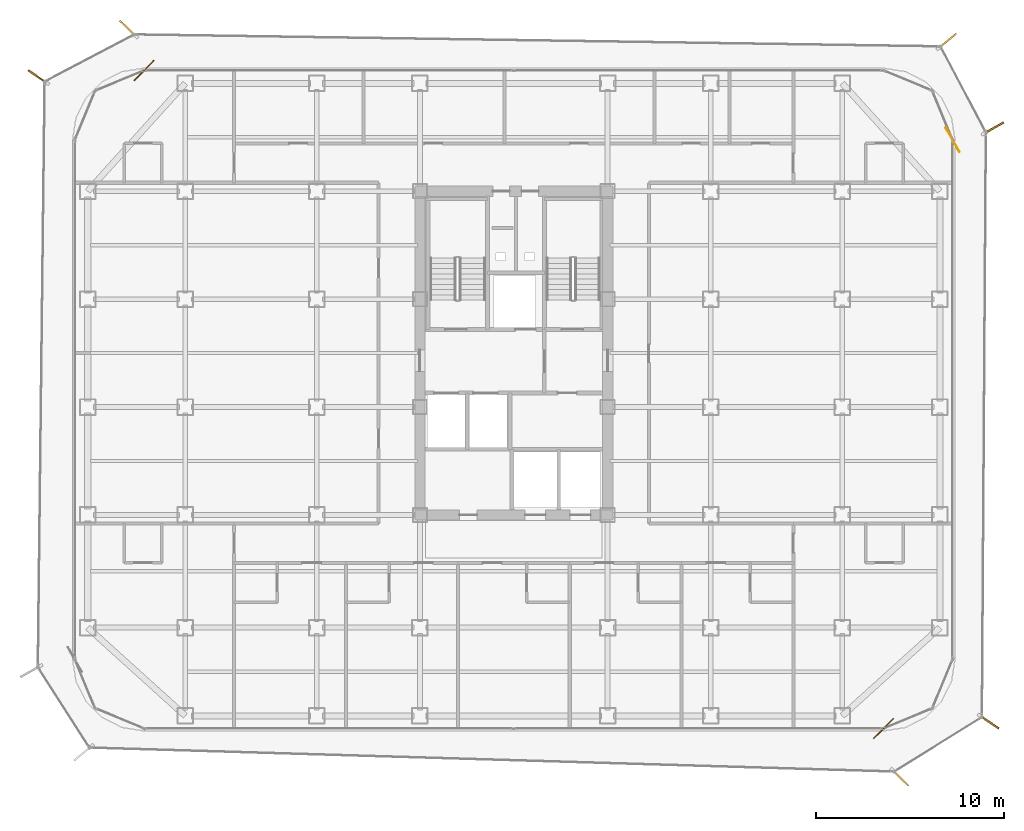
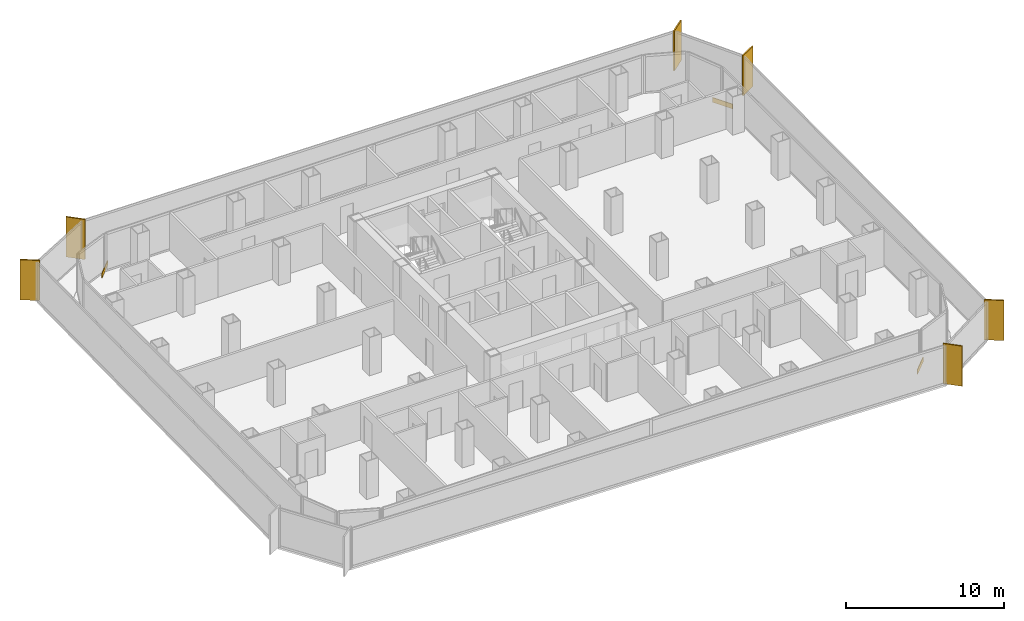
# One storey, part 21 of 21: 6 shading devices, 3 coverings.
"""IFC4 building model written with IfcOpenShell, lengths in metres."""

from ifc_helpers import new_model, si_unit, direction, frame, origin, origin_2d, place, context, subcontext, project, spatial, rectangle, extrude, source, transform, mapped, material, layer, layer_set, type_object, element, save


model = new_model("IFC4")

# Units and contexts
model_context = context("Model", 3, precision=1e-05, world=origin(), true_north=direction((0.0, 1.0)))
body_context = subcontext(model_context, "Body", "Model", "MODEL_VIEW")
ifc_project = project(units=[si_unit("LENGTHUNIT", "METRE"), si_unit("AREAUNIT", "SQUARE_METRE"), si_unit("VOLUMEUNIT", "CUBIC_METRE"), si_unit("PLANEANGLEUNIT", "RADIAN"), si_unit("MASSUNIT", "GRAM", prefix="KILO")], contexts=[model_context])

# Site, building, storey
site_placement = place(None, origin())
site = spatial("IfcSite", under=ifc_project, at=site_placement, CompositionType="ELEMENT")
building_placement = place(site_placement, origin())
building = spatial("IfcBuilding", under=site, at=building_placement, Name="Kolveth Station Tower", CompositionType="ELEMENT")
storey_placement = place(building_placement, frame((0.0, 0.0, 115.10009765625)))
storey = spatial("IfcBuildingStorey", under=building, at=storey_placement, Name="L31", CompositionType="ELEMENT", Elevation=115.10009765625)

# Shading devices
ifc_material_1 = material(Name="Black anodized aluminium 6063-T6", Category="aluminium")
shading_device_type = type_object("IfcShadingDeviceType", Name="FIN_VF1", PredefinedType="USERDEFINED", material=ifc_material_1)
shared_shape_1 = source(origin(), body_context, "Body", "SweptSolid", [
    extrude(rectangle(XDim=1.25, YDim=0.090087890625, at=origin_2d()), origin(), (0.0, 0.0, 1.0), 3.10009765625),
])
for number, where, z_axis, x_axis, name in (
    (1, (44.089111328125, -2.491943359375, -0.000244140625), (0.0, 0.0, 1.0), (0.714838924546, -0.699289147602, 0.0), "L31 Dark-Aluminium Solar Fin 1"),
    (2, (48.822021484375, 0.47900390625, -0.000244140625), (0.0, 0.0, 1.0), (0.827668733006, -0.561216953062, 0.0), "L31 Dark-Aluminium Solar Fin 2"),
    (3, (49.052978515625, 32.110107421875, -0.000244140625), (0.0, 0.0, 1.0), (0.87026973856, 0.492575458328, 0.0), "L31 Dark-Aluminium Solar Fin 3"),
    (4, (46.591064453125, 36.7470703125, -0.000244140625), (0.0, 0.0, 1.0), (0.770624482513, 0.637289500111, 0.0), "L31 Dark-Aluminium Solar Fin 4"),
    (5, (2.9560546875, 37.406982421875, -0.000244140625), (0.0, 0.0, 1.0), (-0.720793110676, 0.69315026625, 0.0), "L31 Dark-Aluminium Solar Fin 5"),
    (6, (-1.861083984375, 34.843017578125, -0.000244140625), (0.0, 0.0, 1.0), (-0.827668733006, 0.561216953062, 0.0), "L31 Dark-Aluminium Solar Fin 6"),
):
    element("IfcShadingDevice", number, at=place(storey_placement, frame(where, z_axis=z_axis, x_axis=x_axis)), inside=storey, type_object=shading_device_type, Name=name, ObjectType="FIN", PredefinedType="USERDEFINED", context=body_context, shape_type="MappedRepresentation", body=[
        mapped(shared_shape_1, transform((0.0, 0.0, 0.0), x_axis=(1.0, 0.0, 0.0), y_axis=(0.0, 1.0, 0.0), z_axis=(0.0, 0.0, 1.0), scale=1.0)),
    ])

# Coverings
ifc_material_2 = material(Name="Charcoal anodized aluminium spandrel cladding", Category="aluminium")
ifc_layer = layer(ifc_material_2, 0.044921875)
ifc_layer_set = layer_set([ifc_layer], Name="Charcoal anodized aluminium spandrel cladding")
covering_type = type_object("IfcCoveringType", Name="Clad_CD1", PredefinedType="CLADDING", material=ifc_layer_set)
shared_shape_2 = source(origin(), body_context, "Body", "SweptSolid", [
    extrude(rectangle(XDim=1.5, YDim=0.044921875, at=origin_2d()), origin(), (0.0, 0.0, 1.0), 0.360107421875),
])
for number, where, z_axis, x_axis, name in (
    (7, (43.199951171875, 0.1201171875, 0.0), (0.0, 0.0, 1.0), (0.699289147602, 0.714838924546, 0.0), "L31 Spandrel Edge Cladding 1"),
    (8, (46.8798828125, 31.5, 0.0), (0.0, 0.0, 1.0), (-0.492575458328, 0.87026973856, 0.0), "L31 Spandrel Edge Cladding 3"),
    (9, (3.800048828125, 35.179931640625, 0.0), (0.0, 0.0, 1.0), (-0.69315026625, -0.720793110676, 0.0), "L31 Spandrel Edge Cladding 5"),
):
    element("IfcCovering", number, at=place(storey_placement, frame(where, z_axis=z_axis, x_axis=x_axis)), inside=storey, type_object=covering_type, Name=name, PredefinedType="CLADDING", context=body_context, shape_type="MappedRepresentation", body=[
        mapped(shared_shape_2, transform((0.0, 0.0, 0.0), x_axis=(1.0, 0.0, 0.0), y_axis=(0.0, 1.0, 0.0), z_axis=(0.0, 0.0, 1.0), scale=1.0)),
    ])

save(model, "model.ifc")
